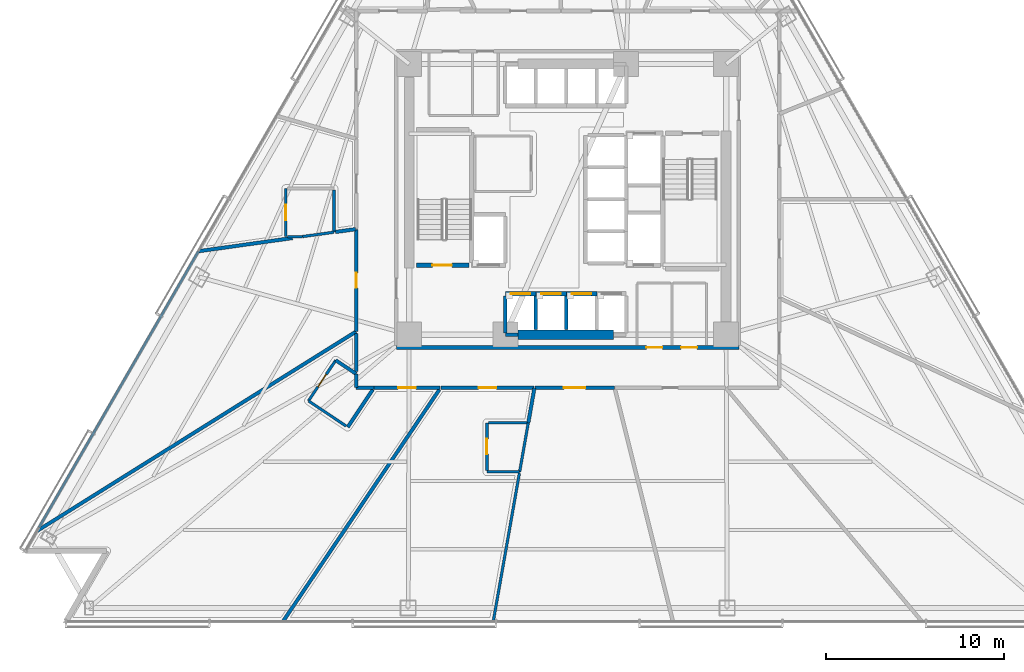
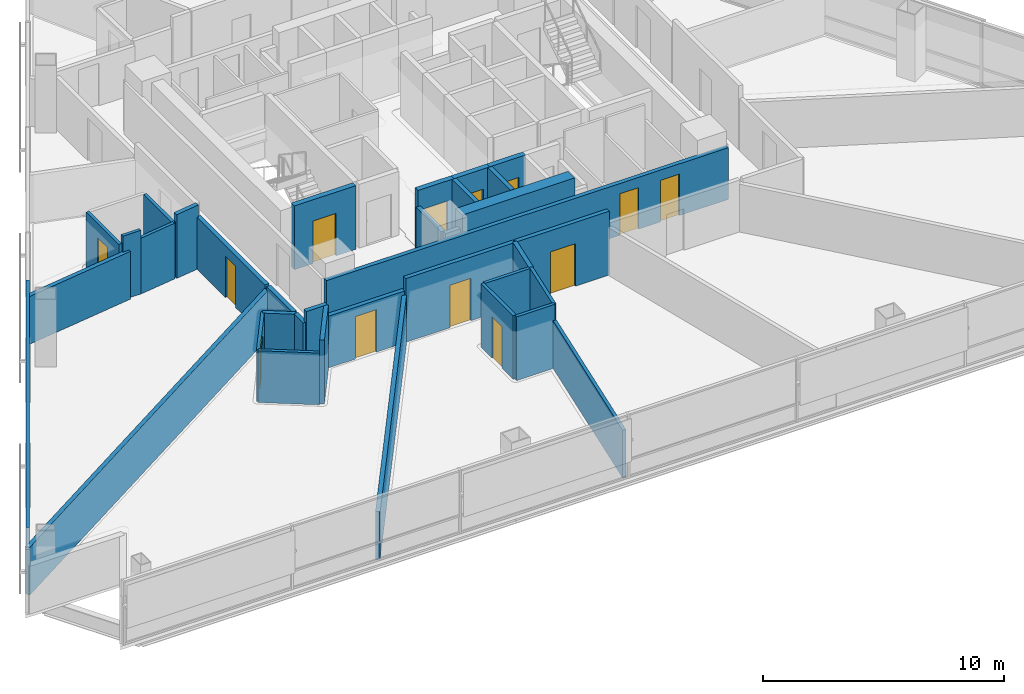
# One storey, part 7 of 16: 36 walls, 13 doors, 13 openings.
"""IFC4 building model written with IfcOpenShell, lengths in metres."""

from ifc_helpers import new_model, si_unit, direction, frame, frame_2d, origin, place, context, subcontext, project, spatial, rectangle, extrude, material, layer, layer_set, type_object, element, fill, save


model = new_model("IFC4")

# Units and contexts
model_context = context("Model", 3, precision=1e-05, world=origin(), true_north=direction((0.0, 1.0)))
body_context = subcontext(model_context, "Body", "Model", "MODEL_VIEW")
ifc_project = project(units=[si_unit("LENGTHUNIT", "METRE"), si_unit("AREAUNIT", "SQUARE_METRE"), si_unit("VOLUMEUNIT", "CUBIC_METRE"), si_unit("PLANEANGLEUNIT", "RADIAN"), si_unit("MASSUNIT", "GRAM", prefix="KILO")], contexts=[model_context])

# Site, building, storey
site_placement = place(None, origin())
site = spatial("IfcSite", under=ifc_project, at=site_placement, CompositionType="ELEMENT")
building_placement = place(site_placement, origin())
building = spatial("IfcBuilding", under=site, at=building_placement, Name="Tharavind Bronze Gate", CompositionType="ELEMENT")
storey_placement = place(building_placement, frame((0.0, 0.0, 42.050048828125)))
storey = spatial("IfcBuildingStorey", under=building, at=storey_placement, Name="L09", CompositionType="ELEMENT", Elevation=42.050048828125)

# Wall, openings, doors
ifc_material_1 = material(Name="Aerated Concrete Block", Category="concrete")
ifc_layer_1 = layer(ifc_material_1, 0.199951171875)
ifc_layer_set_1 = layer_set([ifc_layer_1], Name="Aerated Concrete Block")
wall_type_1 = type_object("IfcWallType", Name="FIRE RATED PARTITION 200", PredefinedType="PARTITIONING", material=ifc_layer_set_1)
wall_1_placement = place(storey_placement, frame((-9.6201171875, -8.320068359375, 0.0), z_axis=(0.0, 0.0, 1.0), x_axis=(1.0, 0.0, 0.0)))
wall_1 = element("IfcWall", 1, at=wall_1_placement, inside=storey, type_object=wall_type_1, Name="L09 south core corridor wall", PredefinedType="PARTITIONING", context=body_context, shape_type="SweptSolid", body=[
    extrude(rectangle(XDim=19.240234375, YDim=0.199951171875, at=frame_2d((9.6201171875, 0.0))), origin(), (0.0, 0.0, 1.0), 2.619873046875),
])
opening_1_placement = place(wall_1_placement, frame((14.044921875, 0.0, 0.0)))
opening_1 = element("IfcOpeningElement", 2, at=opening_1_placement, cuts=wall_1, Name="Opening ID07", PredefinedType="OPENING", context=body_context, shape_type="SweptSolid", body=[
    extrude(rectangle(XDim=0.89990234375, YDim=2.10009765625, at=frame_2d((0.449951171875, 1.050048828125))), frame((0.0, 0.11009765625, 0.0), z_axis=(0.0, -1.0, 0.0), x_axis=(1.0, 0.0, 0.0)), (0.0, 0.0, 1.0), 0.219951171875),
])
opening_2_placement = place(wall_1_placement, frame((15.9951171875, 0.0, 0.0)))
opening_2 = element("IfcOpeningElement", 3, at=opening_2_placement, cuts=wall_1, Name="Opening ID07", PredefinedType="OPENING", context=body_context, shape_type="SweptSolid", body=[
    extrude(rectangle(XDim=0.89990234375, YDim=2.10009765625, at=frame_2d((0.449951171875, 1.050048828125))), frame((0.0, 0.11009765625, 0.0), z_axis=(0.0, -1.0, 0.0), x_axis=(1.0, 0.0, 0.0)), (0.0, 0.0, 1.0), 0.219951171875),
])
ifc_material_2 = material(Name="Galvanised Fire Steel", Category="steel")
door_type_1 = type_object("IfcDoorType", Name="PLANT AND RISER FIRE DOOR 900X2100", OperationType="SINGLE_SWING_LEFT", PredefinedType="DOOR", material=ifc_material_2)
door_1_placement = place(opening_1_placement, origin())
door_1 = element("IfcDoor", 4, at=door_1_placement, inside=storey, type_object=door_type_1, Name="L09 Comms Patch Room fire door", OperationType="SINGLE_SWING_LEFT", OverallHeight=2.10009765625, OverallWidth=0.89990234375, PredefinedType="DOOR", context=body_context, shape_type="SweptSolid", body=[
    extrude(rectangle(XDim=0.89990234375, YDim=2.10009765625, at=frame_2d((0.449951171875, 1.050048828125))), frame((0.0, 0.02490234375, 0.0), z_axis=(0.0, -1.0, 0.0), x_axis=(1.0, 0.0, 0.0)), (0.0, 0.0, 1.0), 0.050048828125),
])
fill(opening_1, door_1)
door_2_placement = place(opening_2_placement, origin())
door_2 = element("IfcDoor", 5, at=door_2_placement, inside=storey, type_object=door_type_1, Name="L09 Housekeeping Store fire door", OperationType="SINGLE_SWING_LEFT", OverallHeight=2.10009765625, OverallWidth=0.89990234375, PredefinedType="DOOR", context=body_context, shape_type="SweptSolid", body=[
    extrude(rectangle(XDim=0.89990234375, YDim=2.10009765625, at=frame_2d((0.449951171875, 1.050048828125))), frame((0.0, 0.02490234375, 0.0), z_axis=(0.0, -1.0, 0.0), x_axis=(1.0, 0.0, 0.0)), (0.0, 0.0, 1.0), 0.050048828125),
])
fill(opening_2, door_2)

# Walls
wall_2_placement = place(storey_placement, frame((-11.8798828125, -9.804931640625, 0.0), z_axis=(0.0, 0.0, 1.0), x_axis=(0.0, -1.0, 0.0)))
element("IfcWall", 6, at=wall_2_placement, inside=storey, type_object=wall_type_1, Name="L09 En-Suite Bathroom partition", PredefinedType="PARTITIONING", context=body_context, shape_type="SweptSolid", body=[
    extrude(rectangle(XDim=0.7744140625, YDim=0.199951171875, at=frame_2d((0.38720703125, 0.0))), origin(), (0.0, 0.0, 1.0), 2.619873046875),
])
wall_3_placement = place(storey_placement, frame((-11.87939453125, -10.580078125, 0.0), z_axis=(0.0, 0.0, 1.0), x_axis=(1.0, 0.0, 0.0)))
element("IfcWall", 7, at=wall_3_placement, inside=storey, type_object=wall_type_1, Name="L09 En-Suite Bathroom partition", PredefinedType="PARTITIONING", context=body_context, shape_type="SweptSolid", body=[
    extrude(rectangle(XDim=1.005615234375, YDim=0.199951171875, at=frame_2d((0.5029296875, 0.0))), origin(), (0.0, 0.0, 1.0), 3.224853515625),
])
wall_4_placement = place(storey_placement, frame((-10.944091796875, -10.68505859375, 0.0), z_axis=(0.0, 0.0, 1.0), x_axis=(-0.55629666488, -0.830983766775, 0.0)))
element("IfcWall", 8, at=wall_4_placement, inside=storey, type_object=wall_type_1, Name="L09 En-Suite Bathroom partition", PredefinedType="PARTITIONING", context=body_context, shape_type="SweptSolid", body=[
    extrude(rectangle(XDim=2.539306640625, YDim=0.199951171875, at=frame_2d((1.26953125, 0.0))), origin(), (0.0, 0.0, 1.0), 3.224853515625),
])
wall_5_placement = place(storey_placement, frame((-13.029052734375, -9.035888671875, 0.0), z_axis=(0.0, 0.0, 1.0), x_axis=(0.831071126881, -0.556166146097, 0.0)))
element("IfcWall", 9, at=wall_5_placement, inside=storey, type_object=wall_type_1, Name="L09 En-Suite Bathroom partition", PredefinedType="PARTITIONING", context=body_context, shape_type="SweptSolid", body=[
    extrude(rectangle(XDim=1.3828125, YDim=0.199951171875, at=frame_2d((0.69140625, 0.0))), origin(), (0.0, 0.0, 1.0), 2.619873046875),
])
wall_6_placement = place(storey_placement, frame((-20.722900390625, -2.912353515625, 0.0), z_axis=(0.0, 0.0, 1.0), x_axis=(0.990270808831, 0.139153602816, 0.0)))
element("IfcWall", 10, at=wall_6_placement, inside=storey, type_object=wall_type_1, Name="L09 Public Restrooms Block partition", PredefinedType="PARTITIONING", context=body_context, shape_type="SweptSolid", body=[
    extrude(rectangle(XDim=5.3212890625, YDim=0.199951171875, at=frame_2d((2.66064453125, 0.0))), origin(), (0.0, 0.0, 1.0), 2.419921875),
])
wall_7_placement = place(storey_placement, frame((-13.049560546875, -1.833984375, 0.0), z_axis=(0.0, 0.0, 1.0), x_axis=(0.990264794112, 0.139196399172, 0.0)))
element("IfcWall", 11, at=wall_7_placement, inside=storey, type_object=wall_type_1, Name="L09 Public Restrooms Block partition", PredefinedType="PARTITIONING", context=body_context, shape_type="SweptSolid", body=[
    extrude(rectangle(XDim=1.15234375, YDim=0.199951171875, at=frame_2d((0.576171875, 0.0))), origin(), (0.0, 0.0, 1.0), 3.224853515625),
])

# Wall, opening, door
wall_8_placement = place(storey_placement, frame((-11.8798828125, -1.698486328125, 0.0), z_axis=(0.0, 0.0, 1.0), x_axis=(0.0, -1.0, 0.0)))
wall_8 = element("IfcWall", 12, at=wall_8_placement, inside=storey, type_object=wall_type_1, Name="L09 Public Restrooms Block partition", PredefinedType="PARTITIONING", context=body_context, shape_type="SweptSolid", body=[
    extrude(rectangle(XDim=5.711181640625, YDim=0.199951171875, at=frame_2d((2.85546875, 0.0))), origin(), (0.0, 0.0, 1.0), 2.619873046875),
])
opening_3_placement = place(wall_8_placement, frame((2.430908203125, 0.0, 0.0)))
opening_3 = element("IfcOpeningElement", 13, at=opening_3_placement, cuts=wall_8, Name="Opening ID06", PredefinedType="OPENING", context=body_context, shape_type="SweptSolid", body=[
    extrude(rectangle(XDim=0.85009765625, YDim=2.10009765625, at=frame_2d((0.425048828125, 1.050048828125))), frame((0.0, 0.11009765625, 0.0), z_axis=(0.0, -1.0, 0.0), x_axis=(1.0, 0.0, 0.0)), (0.0, 0.0, 1.0), 0.219951171875),
])
ifc_material_3 = material(Name="Moisture-Resistant Timber", Category="wood")
door_type_2 = type_object("IfcDoorType", Name="BATHROOM PRIVACY DOOR 850X2100", OperationType="SINGLE_SWING_RIGHT", PredefinedType="DOOR", material=ifc_material_3)
door_3_placement = place(opening_3_placement, origin())
door_3 = element("IfcDoor", 14, at=door_3_placement, inside=storey, type_object=door_type_2, Name="L09 Public Restrooms Block door", OperationType="SINGLE_SWING_RIGHT", OverallHeight=2.10009765625, OverallWidth=0.85009765625, PredefinedType="DOOR", context=body_context, shape_type="SweptSolid", body=[
    extrude(rectangle(XDim=0.85009765625, YDim=2.10009765625, at=frame_2d((0.425048828125, 1.050048828125))), frame((0.0, 0.02490234375, 0.0), z_axis=(0.0, -1.0, 0.0), x_axis=(1.0, 0.0, 0.0)), (0.0, 0.0, 1.0), 0.050048828125),
])
fill(opening_3, door_3)

# Walls
wall_9_placement = place(storey_placement, frame((-11.891845703125, -7.430908203125, 0.0), z_axis=(0.0, 0.0, 1.0), x_axis=(-0.848048947086, -0.529917902458, 0.0)))
element("IfcWall", 15, at=wall_9_placement, inside=storey, type_object=wall_type_1, Name="L09 Public Restrooms Block partition", PredefinedType="PARTITIONING", context=body_context, shape_type="SweptSolid", body=[
    extrude(rectangle(XDim=21.123291015625, YDim=0.199951171875, at=frame_2d((10.5615234375, 0.0))), origin(), (0.0, 0.0, 1.0), 2.419921875),
])
wall_10_placement = place(storey_placement, frame((-11.8798828125, -7.547119140625, 0.0), z_axis=(0.0, 0.0, 1.0), x_axis=(0.0, -1.0, 0.0)))
element("IfcWall", 16, at=wall_10_placement, inside=storey, type_object=wall_type_1, Name="L09 Deluxe Hotel Suite partition", PredefinedType="PARTITIONING", context=body_context, shape_type="SweptSolid", body=[
    extrude(rectangle(XDim=2.131591796875, YDim=0.199951171875, at=frame_2d((1.06591796875, 0.0))), origin(), (0.0, 0.0, 1.0), 2.619873046875),
])

# Wall, opening, door
wall_11_placement = place(storey_placement, frame((-10.873779296875, -10.580078125, 0.0), z_axis=(0.0, 0.0, 1.0), x_axis=(1.0, 0.0, 0.0)))
wall_11 = element("IfcWall", 17, at=wall_11_placement, inside=storey, type_object=wall_type_1, Name="L09 Deluxe Hotel Suite partition", PredefinedType="PARTITIONING", context=body_context, shape_type="SweptSolid", body=[
    extrude(rectangle(XDim=3.6904296875, YDim=0.199951171875, at=frame_2d((1.84521484375, 0.0))), origin(), (0.0, 0.0, 1.0), 2.619873046875),
])
opening_4_placement = place(wall_11_placement, frame((1.344970703125, 0.0, 0.0)))
opening_4 = element("IfcOpeningElement", 18, at=opening_4_placement, cuts=wall_11, Name="Opening ID03", PredefinedType="OPENING", context=body_context, shape_type="SweptSolid", body=[
    extrude(rectangle(XDim=1.0, YDim=2.14990234375, at=frame_2d((0.5, 1.074951171875))), frame((0.0, 0.11009765625, 0.0), z_axis=(0.0, -1.0, 0.0), x_axis=(1.0, 0.0, 0.0)), (0.0, 0.0, 1.0), 0.219951171875),
])
ifc_material_4 = material(Name="Solid Timber Veneer", Category="wood")
door_type_3 = type_object("IfcDoorType", Name="HOTEL SUITE ENTRANCE DOOR 1000X2150", OperationType="SINGLE_SWING_LEFT", PredefinedType="DOOR", material=ifc_material_4)
door_4_placement = place(opening_4_placement, origin())
door_4 = element("IfcDoor", 19, at=door_4_placement, inside=storey, type_object=door_type_3, Name="L09 Deluxe Hotel Suite door", OperationType="SINGLE_SWING_LEFT", OverallHeight=2.14990234375, OverallWidth=1.0, PredefinedType="DOOR", context=body_context, shape_type="SweptSolid", body=[
    extrude(rectangle(XDim=1.0, YDim=2.14990234375, at=frame_2d((0.5, 1.074951171875))), frame((0.0, 0.02490234375, 0.0), z_axis=(0.0, -1.0, 0.0), x_axis=(1.0, 0.0, 0.0)), (0.0, 0.0, 1.0), 0.050048828125),
])
fill(opening_4, door_4)

# Wall
wall_12_placement = place(storey_placement, frame((-7.20703125, -10.68505859375, 0.0), z_axis=(0.0, 0.0, 1.0), x_axis=(-0.55920336949, -0.82903051304, 0.0)))
element("IfcWall", 20, at=wall_12_placement, inside=storey, type_object=wall_type_1, Name="L09 Deluxe Hotel Suite partition", PredefinedType="PARTITIONING", context=body_context, shape_type="SweptSolid", body=[
    extrude(rectangle(XDim=15.685791015625, YDim=0.199951171875, at=frame_2d((7.8427734375, 0.0))), origin(), (0.0, 0.0, 1.0), 2.419921875),
])

# Wall, opening, door
wall_13_placement = place(storey_placement, frame((-7.123046875, -10.580078125, 0.0), z_axis=(0.0, 0.0, 1.0), x_axis=(1.0, 0.0, 0.0)))
wall_13 = element("IfcWall", 21, at=wall_13_placement, inside=storey, type_object=wall_type_1, Name="L09 Deluxe Hotel Suite partition", PredefinedType="PARTITIONING", context=body_context, shape_type="SweptSolid", body=[
    extrude(rectangle(XDim=5.227783203125, YDim=0.199951171875, at=frame_2d((2.61376953125, 0.0))), origin(), (0.0, 0.0, 1.0), 3.224853515625),
])
opening_5_placement = place(wall_13_placement, frame((2.114013671875, 0.0, 0.0)))
opening_5 = element("IfcOpeningElement", 22, at=opening_5_placement, cuts=wall_13, Name="Opening ID03", PredefinedType="OPENING", context=body_context, shape_type="SweptSolid", body=[
    extrude(rectangle(XDim=1.0, YDim=2.14990234375, at=frame_2d((0.5, 1.074951171875))), frame((0.0, 0.11009765625, 0.0), z_axis=(0.0, -1.0, 0.0), x_axis=(1.0, 0.0, 0.0)), (0.0, 0.0, 1.0), 0.219951171875),
])
door_5_placement = place(opening_5_placement, origin())
door_5 = element("IfcDoor", 23, at=door_5_placement, inside=storey, type_object=door_type_3, Name="L09 Deluxe Hotel Suite door", OperationType="SINGLE_SWING_LEFT", OverallHeight=2.14990234375, OverallWidth=1.0, PredefinedType="DOOR", context=body_context, shape_type="SweptSolid", body=[
    extrude(rectangle(XDim=1.0, YDim=2.14990234375, at=frame_2d((0.5, 1.074951171875))), frame((0.0, 0.02490234375, 0.0), z_axis=(0.0, -1.0, 0.0), x_axis=(1.0, 0.0, 0.0)), (0.0, 0.0, 1.0), 0.050048828125),
])
fill(opening_5, door_5)

# Wall
wall_14_placement = place(storey_placement, frame((-1.87060546875, -10.609375, 0.0), z_axis=(0.0, 0.0, 1.0), x_axis=(-0.17369345517, -0.984799768294, 0.0)))
element("IfcWall", 24, at=wall_14_placement, inside=storey, type_object=wall_type_1, Name="L09 Deluxe Hotel Suite partition", PredefinedType="PARTITIONING", context=body_context, shape_type="SweptSolid", body=[
    extrude(rectangle(XDim=1.970703125, YDim=0.199951171875, at=frame_2d((0.9853515625, 0.0))), origin(), (0.0, 0.0, 1.0), 3.224853515625),
])

# Wall, opening, door
wall_15_placement = place(storey_placement, frame((-1.844482421875, -10.580078125, 0.0), z_axis=(0.0, 0.0, 1.0), x_axis=(1.0, 0.0, 0.0)))
wall_15 = element("IfcWall", 25, at=wall_15_placement, inside=storey, type_object=wall_type_1, Name="L09 Hotel Guest Lounge partition", PredefinedType="PARTITIONING", context=body_context, shape_type="SweptSolid", body=[
    extrude(rectangle(XDim=4.462890625, YDim=0.199951171875, at=frame_2d((2.2314453125, 0.0))), origin(), (0.0, 0.0, 1.0), 3.224853515625),
])
opening_6_placement = place(wall_15_placement, frame((1.631103515625, 0.0, 0.0)))
opening_6 = element("IfcOpeningElement", 26, at=opening_6_placement, cuts=wall_15, Name="Opening ID05", PredefinedType="OPENING", context=body_context, shape_type="SweptSolid", body=[
    extrude(rectangle(XDim=1.199951171875, YDim=2.14990234375, at=frame_2d((0.60009765625, 1.074951171875))), frame((0.0, 0.11009765625, 0.0), z_axis=(0.0, -1.0, 0.0), x_axis=(1.0, 0.0, 0.0)), (0.0, 0.0, 1.0), 0.219951171875),
])
ifc_material_5 = material(Name="Acoustic Laminated Glass", Category="glass")
door_type_4 = type_object("IfcDoorType", Name="MEETING ROOM GLAZED DOOR 1200X2150", OperationType="SINGLE_SWING_LEFT", PredefinedType="DOOR", material=ifc_material_5)
door_6_placement = place(opening_6_placement, origin())
door_6 = element("IfcDoor", 27, at=door_6_placement, inside=storey, type_object=door_type_4, Name="L09 Hotel Guest Lounge door", OperationType="SINGLE_SWING_LEFT", OverallHeight=2.14990234375, OverallWidth=1.199951171875, PredefinedType="DOOR", context=body_context, shape_type="SweptSolid", body=[
    extrude(rectangle(XDim=1.199951171875, YDim=2.14990234375, at=frame_2d((0.60009765625, 1.074951171875))), frame((0.0, 0.02490234375, 0.0), z_axis=(0.0, -1.0, 0.0), x_axis=(1.0, 0.0, 0.0)), (0.0, 0.0, 1.0), 0.050048828125),
])
fill(opening_6, door_6)

ifc_material_6 = material(Name="Twin Stud Acoustic Gypsum", Category="gypsum")
ifc_layer_2 = layer(ifc_material_6, 0.14990234375)
ifc_layer_set_2 = layer_set([ifc_layer_2], Name="Twin Stud Acoustic Gypsum")
wall_type_2 = type_object("IfcWallType", Name="INTERIOR PARTITION WALL 150", PredefinedType="PARTITIONING", material=ifc_layer_set_2)
wall_16_placement = place(storey_placement, frame((-15.82958984375, -2.091796875, 0.0), z_axis=(0.0, 0.0, 1.0), x_axis=(0.0, 1.0, 0.0)))
wall_16 = element("IfcWall", 28, at=wall_16_placement, inside=storey, type_object=wall_type_2, Name="L09 En-Suite Bathroom partition", PredefinedType="PARTITIONING", context=body_context, shape_type="SweptSolid", body=[
    extrude(rectangle(XDim=2.699951171875, YDim=0.14990234375, at=frame_2d((1.35009765625, 0.0))), origin(), (0.0, 0.0, 1.0), 2.820068359375),
])
opening_7_placement = place(wall_16_placement, frame((0.925048828125, 0.0, 0.0)))
opening_7 = element("IfcOpeningElement", 29, at=opening_7_placement, cuts=wall_16, Name="Opening ID06", PredefinedType="OPENING", context=body_context, shape_type="SweptSolid", body=[
    extrude(rectangle(XDim=0.85009765625, YDim=2.10009765625, at=frame_2d((0.425048828125, 1.050048828125))), frame((0.0, 0.084951171875, 0.0), z_axis=(0.0, -1.0, 0.0), x_axis=(1.0, 0.0, 0.0)), (0.0, 0.0, 1.0), 0.16990234375),
])
door_7_placement = place(opening_7_placement, origin())
door_7 = element("IfcDoor", 30, at=door_7_placement, inside=storey, type_object=door_type_2, Name="L09 En-Suite Bathroom door", OperationType="SINGLE_SWING_RIGHT", OverallHeight=2.10009765625, OverallWidth=0.85009765625, PredefinedType="DOOR", context=body_context, shape_type="SweptSolid", body=[
    extrude(rectangle(XDim=0.85009765625, YDim=2.10009765625, at=frame_2d((0.425048828125, 1.050048828125))), frame((0.0, 0.02490234375, 0.0), z_axis=(0.0, -1.0, 0.0), x_axis=(1.0, 0.0, 0.0)), (0.0, 0.0, 1.0), 0.050048828125),
])
fill(opening_7, door_7)

# Walls
wall_17_placement = place(storey_placement, frame((-13.129638671875, 0.5283203125, 0.0), z_axis=(0.0, 0.0, 1.0), x_axis=(0.0, -1.0, 0.0)))
element("IfcWall", 31, at=wall_17_placement, inside=storey, type_object=wall_type_2, Name="L09 En-Suite Bathroom partition", PredefinedType="PARTITIONING", context=body_context, shape_type="SweptSolid", body=[
    extrude(rectangle(XDim=2.37353515625, YDim=0.14990234375, at=frame_2d((1.186767578125, 0.0))), origin(), (0.0, 0.0, 1.0), 2.820068359375),
])
wall_18_placement = place(storey_placement, frame((-13.129638671875, -1.84521484375, 0.0), z_axis=(0.0, 0.0, 1.0), x_axis=(-0.990264001504, -0.13920203779, 0.0)))
element("IfcWall", 32, at=wall_18_placement, inside=storey, type_object=wall_type_2, Name="L09 En-Suite Bathroom partition", PredefinedType="PARTITIONING", context=body_context, shape_type="SweptSolid", body=[
    extrude(rectangle(XDim=1.771484375, YDim=0.14990234375, at=frame_2d((0.8857421875, 0.0))), origin(), (0.0, 0.0, 1.0), 2.820068359375),
])
wall_19_placement = place(storey_placement, frame((-14.8837890625, -2.091796875, 0.0), z_axis=(0.0, 0.0, 1.0), x_axis=(-1.0, 0.0, 0.0)))
element("IfcWall", 33, at=wall_19_placement, inside=storey, type_object=wall_type_2, Name="L09 En-Suite Bathroom partition", PredefinedType="PARTITIONING", context=body_context, shape_type="SweptSolid", body=[
    extrude(rectangle(XDim=0.86572265625, YDim=0.14990234375, at=frame_2d((0.432861328125, 0.0))), origin(), (0.0, 0.0, 1.0), 3.224853515625),
])
wall_20_placement = place(storey_placement, frame((-12.444091796875, -12.73681640625, 0.0), z_axis=(0.0, 0.0, 1.0), x_axis=(-0.830971323883, 0.55631525135, 0.0)))
element("IfcWall", 34, at=wall_20_placement, inside=storey, type_object=wall_type_2, Name="L09 En-Suite Bathroom partition", PredefinedType="PARTITIONING", context=body_context, shape_type="SweptSolid", body=[
    extrude(rectangle(XDim=2.544921875, YDim=0.14990234375, at=frame_2d((1.2724609375, 0.0))), origin(), (0.0, 0.0, 1.0), 2.619873046875),
])

# Wall, opening, door
wall_21_placement = place(storey_placement, frame((-14.558837890625, -11.321044921875, 0.0), z_axis=(0.0, 0.0, 1.0), x_axis=(0.556297218143, 0.830983396396, 0.0)))
wall_21 = element("IfcWall", 35, at=wall_21_placement, inside=storey, type_object=wall_type_2, Name="L09 En-Suite Bathroom partition", PredefinedType="PARTITIONING", context=body_context, shape_type="SweptSolid", body=[
    extrude(rectangle(XDim=2.75, YDim=0.14990234375, at=frame_2d((1.375, 0.0))), origin(), (0.0, 0.0, 1.0), 2.619873046875),
])
opening_8_placement = place(wall_21_placement, frame((0.949951171875, 0.0, 0.0)))
opening_8 = element("IfcOpeningElement", 36, at=opening_8_placement, cuts=wall_21, Name="Opening ID06", PredefinedType="OPENING", context=body_context, shape_type="SweptSolid", body=[
    extrude(rectangle(XDim=0.85009765625, YDim=2.10009765625, at=frame_2d((0.425048828125, 1.050048828125))), frame((0.0, 0.084951171875, 0.0), z_axis=(0.0, -1.0, 0.0), x_axis=(1.0, 0.0, 0.0)), (0.0, 0.0, 1.0), 0.16990234375),
])
door_8_placement = place(opening_8_placement, origin())
door_8 = element("IfcDoor", 37, at=door_8_placement, inside=storey, type_object=door_type_2, Name="L09 En-Suite Bathroom door", OperationType="SINGLE_SWING_RIGHT", OverallHeight=2.10009765625, OverallWidth=0.85009765625, PredefinedType="DOOR", context=body_context, shape_type="SweptSolid", body=[
    extrude(rectangle(XDim=0.85009765625, YDim=2.10009765625, at=frame_2d((0.425048828125, 1.050048828125))), frame((0.0, 0.02490234375, 0.0), z_axis=(0.0, -1.0, 0.0), x_axis=(1.0, 0.0, 0.0)), (0.0, 0.0, 1.0), 0.050048828125),
])
fill(opening_8, door_8)

# Walls
wall_22_placement = place(storey_placement, frame((-2.212890625, -12.550048828125, 0.0), z_axis=(0.0, 0.0, 1.0), x_axis=(-0.173635703618, -0.984809952442, 0.0)))
element("IfcWall", 38, at=wall_22_placement, inside=storey, type_object=wall_type_2, Name="L09 En-Suite Bathroom partition", PredefinedType="PARTITIONING", context=body_context, shape_type="SweptSolid", body=[
    extrude(rectangle(XDim=2.79248046875, YDim=0.14990234375, at=frame_2d((1.396240234375, 0.0))), origin(), (0.0, 0.0, 1.0), 3.224853515625),
])
wall_23_placement = place(storey_placement, frame((-2.69775390625, -15.300048828125, 0.0), z_axis=(0.0, 0.0, 1.0), x_axis=(-1.0, 0.0, 0.0)))
element("IfcWall", 39, at=wall_23_placement, inside=storey, type_object=wall_type_2, Name="L09 En-Suite Bathroom partition", PredefinedType="PARTITIONING", context=body_context, shape_type="SweptSolid", body=[
    extrude(rectangle(XDim=1.8388671875, YDim=0.14990234375, at=frame_2d((0.91943359375, 0.0))), origin(), (0.0, 0.0, 1.0), 3.224853515625),
])

# Wall, opening, door
wall_24_placement = place(storey_placement, frame((-4.53662109375, -15.219970703125, 0.0), z_axis=(0.0, 0.0, 1.0), x_axis=(0.0, 1.0, 0.0)))
wall_24 = element("IfcWall", 40, at=wall_24_placement, inside=storey, type_object=wall_type_2, Name="L09 En-Suite Bathroom partition", PredefinedType="PARTITIONING", context=body_context, shape_type="SweptSolid", body=[
    extrude(rectangle(XDim=2.669921875, YDim=0.14990234375, at=frame_2d((1.3349609375, 0.0))), origin(), (0.0, 0.0, 1.0), 3.224853515625),
])
opening_9_placement = place(wall_24_placement, frame((0.909912109375, 0.0, 0.0)))
opening_9 = element("IfcOpeningElement", 41, at=opening_9_placement, cuts=wall_24, Name="Opening ID06", PredefinedType="OPENING", context=body_context, shape_type="SweptSolid", body=[
    extrude(rectangle(XDim=0.85009765625, YDim=2.10009765625, at=frame_2d((0.425048828125, 1.050048828125))), frame((0.0, 0.084951171875, 0.0), z_axis=(0.0, -1.0, 0.0), x_axis=(1.0, 0.0, 0.0)), (0.0, 0.0, 1.0), 0.16990234375),
])
door_9_placement = place(opening_9_placement, origin())
door_9 = element("IfcDoor", 42, at=door_9_placement, inside=storey, type_object=door_type_2, Name="L09 En-Suite Bathroom door", OperationType="SINGLE_SWING_RIGHT", OverallHeight=2.10009765625, OverallWidth=0.85009765625, PredefinedType="DOOR", context=body_context, shape_type="SweptSolid", body=[
    extrude(rectangle(XDim=0.85009765625, YDim=2.10009765625, at=frame_2d((0.425048828125, 1.050048828125))), frame((0.0, 0.02490234375, 0.0), z_axis=(0.0, -1.0, 0.0), x_axis=(1.0, 0.0, 0.0)), (0.0, 0.0, 1.0), 0.050048828125),
])
fill(opening_9, door_9)

# Walls
wall_25_placement = place(storey_placement, frame((-4.456787109375, -12.550048828125, 0.0), z_axis=(0.0, 0.0, 1.0), x_axis=(1.0, 0.0, 0.0)))
element("IfcWall", 43, at=wall_25_placement, inside=storey, type_object=wall_type_2, Name="L09 En-Suite Bathroom partition", PredefinedType="PARTITIONING", context=body_context, shape_type="SweptSolid", body=[
    extrude(rectangle(XDim=2.16259765625, YDim=0.14990234375, at=frame_2d((1.081298828125, 0.0))), origin(), (0.0, 0.0, 1.0), 3.224853515625),
])
wall_26_placement = place(storey_placement, frame((-29.693603515625, -18.430908203125, 0.0), z_axis=(0.0, 0.0, 1.0), x_axis=(0.499997467418, 0.866026865966, 0.0)))
element("IfcWall", 44, at=wall_26_placement, inside=storey, type_object=wall_type_2, Name="L09 Public Restrooms Block partition", PredefinedType="PARTITIONING", context=body_context, shape_type="SweptSolid", body=[
    extrude(rectangle(XDim=17.90478515625, YDim=0.14990234375, at=frame_2d((8.952392578125, 0.0))), origin(), (0.0, 0.0, 1.0), 3.224853515625),
])
wall_27_placement = place(storey_placement, frame((-2.7119140625, -15.3798828125, 0.0), z_axis=(0.0, 0.0, 1.0), x_axis=(-0.173646509235, -0.9848080472, 0.0)))
element("IfcWall", 45, at=wall_27_placement, inside=storey, type_object=wall_type_2, Name="L09 Deluxe Hotel Suite partition", PredefinedType="PARTITIONING", context=body_context, shape_type="SweptSolid", body=[
    extrude(rectangle(XDim=8.42724609375, YDim=0.14990234375, at=frame_2d((4.213623046875, 0.0))), origin(), (0.0, 0.0, 1.0), 2.419921875),
])

# Wall, opening, door
ifc_material_7 = material(Name="Concrete C50/60", Category="concrete")
ifc_layer_3 = layer(ifc_material_7, 0.25)
ifc_layer_set_3 = layer_set([ifc_layer_3], Name="Concrete C50/60")
wall_type_3 = type_object("IfcWallType", Name="RC CORE SHEAR WALL 250", PredefinedType="SHEAR", material=ifc_layer_set_3)
wall_28_placement = place(storey_placement, frame((-8.5, -3.699951171875, 0.0), z_axis=(0.0, 0.0, 1.0), x_axis=(1.0, 0.0, 0.0)))
wall_28 = element("IfcWall", 46, at=wall_28_placement, inside=storey, type_object=wall_type_3, Name="L09 ST1 shaft south wall", PredefinedType="SHEAR", context=body_context, shape_type="SweptSolid", body=[
    extrude(rectangle(XDim=2.949951171875, YDim=0.25, at=frame_2d((1.47509765625, 0.0))), origin(), (0.0, 0.0, 1.0), 3.224853515625),
])
opening_10_placement = place(wall_28_placement, frame((0.89990234375, 0.0, 0.0)))
opening_10 = element("IfcOpeningElement", 47, at=opening_10_placement, cuts=wall_28, Name="Opening ID01", PredefinedType="OPENING", context=body_context, shape_type="SweptSolid", body=[
    extrude(rectangle(XDim=1.10009765625, YDim=2.14990234375, at=frame_2d((0.550048828125, 1.074951171875))), frame((0.0, 0.135, 0.0), z_axis=(0.0, -1.0, 0.0), x_axis=(1.0, 0.0, 0.0)), (0.0, 0.0, 1.0), 0.27),
])
ifc_material_8 = material(Name="Fire-Rated Steel", Category="steel")
door_type_5 = type_object("IfcDoorType", Name="STAIR CORE FIRE DOOR 1100X2150", OperationType="SINGLE_SWING_LEFT", PredefinedType="DOOR", material=ifc_material_8)
door_10_placement = place(opening_10_placement, origin())
door_10 = element("IfcDoor", 48, at=door_10_placement, inside=storey, type_object=door_type_5, Name="L09 exit stair ST1 fire door", OperationType="SINGLE_SWING_LEFT", OverallHeight=2.14990234375, OverallWidth=1.10009765625, PredefinedType="DOOR", context=body_context, shape_type="SweptSolid", body=[
    extrude(rectangle(XDim=1.10009765625, YDim=2.14990234375, at=frame_2d((0.550048828125, 1.074951171875))), frame((0.0, 0.02490234375, 0.0), z_axis=(0.0, -1.0, 0.0), x_axis=(1.0, 0.0, 0.0)), (0.0, 0.0, 1.0), 0.050048828125),
])
fill(opening_10, door_10)

wall_29_placement = place(storey_placement, frame((-3.5, -5.300048828125, 0.0), z_axis=(0.0, 0.0, 1.0), x_axis=(1.0, 0.0, 0.0)))
wall_29 = element("IfcWall", 49, at=wall_29_placement, inside=storey, type_object=wall_type_3, Name="L09 lift PL1 shaft front wall", PredefinedType="SHEAR", context=body_context, shape_type="SweptSolid", body=[
    extrude(rectangle(XDim=1.71240234375, YDim=0.25, at=frame_2d((0.856201171875, 0.0))), origin(), (0.0, 0.0, 1.0), 3.224853515625),
])
opening_11_placement = place(wall_29_placement, frame((0.305908203125, 0.0, 0.0)))
opening_11 = element("IfcOpeningElement", 50, at=opening_11_placement, cuts=wall_29, Name="Opening LD01", PredefinedType="OPENING", context=body_context, shape_type="SweptSolid", body=[
    extrude(rectangle(XDim=1.10009765625, YDim=2.199951171875, at=frame_2d((0.550048828125, 1.10009765625))), frame((0.0, 0.135, 0.0), z_axis=(0.0, -1.0, 0.0), x_axis=(1.0, 0.0, 0.0)), (0.0, 0.0, 1.0), 0.27),
])
ifc_material_9 = material(Name="Brushed Bronze Stainless Steel", Category="steel")
door_type_6 = type_object("IfcDoorType", Name="LIFT LANDING SLIDING DOOR 1100X2200", OperationType="SLIDING_TO_LEFT", PredefinedType="DOOR", material=ifc_material_9)
door_11_placement = place(opening_11_placement, origin())
door_11 = element("IfcDoor", 51, at=door_11_placement, inside=storey, type_object=door_type_6, Name="L09 lift PL1 sliding landing door", OperationType="SLIDING_TO_LEFT", OverallHeight=2.199951171875, OverallWidth=1.10009765625, PredefinedType="DOOR", context=body_context, shape_type="SweptSolid", body=[
    extrude(rectangle(XDim=1.10009765625, YDim=2.199951171875, at=frame_2d((0.550048828125, 1.10009765625))), frame((0.0, 0.02490234375, 0.0), z_axis=(0.0, -1.0, 0.0), x_axis=(1.0, 0.0, 0.0)), (0.0, 0.0, 1.0), 0.050048828125),
])
fill(opening_11, door_11)

wall_30_placement = place(storey_placement, frame((-1.78759765625, -5.300048828125, 0.0), z_axis=(0.0, 0.0, 1.0), x_axis=(1.0, 0.0, 0.0)))
wall_30 = element("IfcWall", 52, at=wall_30_placement, inside=storey, type_object=wall_type_3, Name="L09 lift PL2 shaft front wall", PredefinedType="SHEAR", context=body_context, shape_type="SweptSolid", body=[
    extrude(rectangle(XDim=1.712646484375, YDim=0.25, at=frame_2d((0.8564453125, 0.0))), origin(), (0.0, 0.0, 1.0), 3.224853515625),
])
opening_12_placement = place(wall_30_placement, frame((0.305908203125, 0.0, 0.0)))
opening_12 = element("IfcOpeningElement", 53, at=opening_12_placement, cuts=wall_30, Name="Opening LD01", PredefinedType="OPENING", context=body_context, shape_type="SweptSolid", body=[
    extrude(rectangle(XDim=1.10009765625, YDim=2.199951171875, at=frame_2d((0.550048828125, 1.10009765625))), frame((0.0, 0.135, 0.0), z_axis=(0.0, -1.0, 0.0), x_axis=(1.0, 0.0, 0.0)), (0.0, 0.0, 1.0), 0.27),
])
door_12_placement = place(opening_12_placement, origin())
door_12 = element("IfcDoor", 54, at=door_12_placement, inside=storey, type_object=door_type_6, Name="L09 lift PL2 sliding landing door", OperationType="SLIDING_TO_LEFT", OverallHeight=2.199951171875, OverallWidth=1.10009765625, PredefinedType="DOOR", context=body_context, shape_type="SweptSolid", body=[
    extrude(rectangle(XDim=1.10009765625, YDim=2.199951171875, at=frame_2d((0.550048828125, 1.10009765625))), frame((0.0, 0.02490234375, 0.0), z_axis=(0.0, -1.0, 0.0), x_axis=(1.0, 0.0, 0.0)), (0.0, 0.0, 1.0), 0.050048828125),
])
fill(opening_12, door_12)

wall_31_placement = place(storey_placement, frame((-0.074951171875, -5.300048828125, 0.0), z_axis=(0.0, 0.0, 1.0), x_axis=(1.0, 0.0, 0.0)))
wall_31 = element("IfcWall", 55, at=wall_31_placement, inside=storey, type_object=wall_type_3, Name="L09 lift PL3 shaft front wall", PredefinedType="SHEAR", context=body_context, shape_type="SweptSolid", body=[
    extrude(rectangle(XDim=1.71240234375, YDim=0.25, at=frame_2d((0.856201171875, 0.0))), origin(), (0.0, 0.0, 1.0), 3.224853515625),
])
opening_13_placement = place(wall_31_placement, frame((0.305908203125, 0.0, 0.0)))
opening_13 = element("IfcOpeningElement", 56, at=opening_13_placement, cuts=wall_31, Name="Opening LD01", PredefinedType="OPENING", context=body_context, shape_type="SweptSolid", body=[
    extrude(rectangle(XDim=1.10009765625, YDim=2.199951171875, at=frame_2d((0.550048828125, 1.10009765625))), frame((0.0, 0.135, 0.0), z_axis=(0.0, -1.0, 0.0), x_axis=(1.0, 0.0, 0.0)), (0.0, 0.0, 1.0), 0.27),
])
door_13_placement = place(opening_13_placement, origin())
door_13 = element("IfcDoor", 57, at=door_13_placement, inside=storey, type_object=door_type_6, Name="L09 lift PL3 sliding landing door", OperationType="SLIDING_TO_LEFT", OverallHeight=2.199951171875, OverallWidth=1.10009765625, PredefinedType="DOOR", context=body_context, shape_type="SweptSolid", body=[
    extrude(rectangle(XDim=1.10009765625, YDim=2.199951171875, at=frame_2d((0.550048828125, 1.10009765625))), frame((0.0, 0.02490234375, 0.0), z_axis=(0.0, -1.0, 0.0), x_axis=(1.0, 0.0, 0.0)), (0.0, 0.0, 1.0), 0.050048828125),
])
fill(opening_13, door_13)

# Walls
ifc_material_10 = material(Name="Concrete C60/75", Category="concrete")
ifc_layer_4 = layer(ifc_material_10, 0.550048828125)
ifc_layer_set_4 = layer_set([ifc_layer_4], Name="Concrete C60/75")
wall_type_4 = type_object("IfcWallType", Name="RC CORE SHEAR WALL 550", PredefinedType="SHEAR", material=ifc_layer_set_4)
wall_32_placement = place(storey_placement, frame((-2.800048828125, -7.60009765625, 0.0), z_axis=(0.0, 0.0, 1.0), x_axis=(1.0, 0.0, 0.0)))
element("IfcWall", 58, at=wall_32_placement, inside=storey, type_object=wall_type_4, Name="L09 south core shear wall", PredefinedType="SHEAR", context=body_context, shape_type="SweptSolid", body=[
    extrude(rectangle(XDim=5.380126953125, YDim=0.550048828125, at=frame_2d((2.68994140625, 0.0))), origin(), (0.0, 0.0, 1.0), 3.224853515625),
])
ifc_material_11 = material(Name="Concrete C40/50", Category="concrete")
ifc_layer_5 = layer(ifc_material_11, 0.199951171875)
ifc_layer_set_5 = layer_set([ifc_layer_5], Name="Concrete C40/50")
wall_type_5 = type_object("IfcWallType", Name="SHAFT ENCLOSURE WALL 200", PredefinedType="PARTITIONING", material=ifc_layer_set_5)
wall_33_placement = place(storey_placement, frame((-3.5, -7.60009765625, 0.0), z_axis=(0.0, 0.0, 1.0), x_axis=(1.0, 0.0, 0.0)))
element("IfcWall", 59, at=wall_33_placement, inside=storey, type_object=wall_type_5, Name="L09 lift PL1 shaft S enclosure wall", PredefinedType="PARTITIONING", context=body_context, shape_type="SweptSolid", body=[
    extrude(rectangle(XDim=0.699951171875, YDim=0.199951171875, at=frame_2d((0.35009765625, 0.0))), origin(), (0.0, 0.0, 1.0), 2.419921875),
])
wall_34_placement = place(storey_placement, frame((-3.5, -7.4951171875, 0.0), z_axis=(0.0, 0.0, 1.0), x_axis=(0.0, 1.0, 0.0)))
element("IfcWall", 60, at=wall_34_placement, inside=storey, type_object=wall_type_5, Name="L09 lift PL1 shaft W enclosure wall", PredefinedType="PARTITIONING", context=body_context, shape_type="SweptSolid", body=[
    extrude(rectangle(XDim=2.065185546875, YDim=0.199951171875, at=frame_2d((1.03271484375, 0.0))), origin(), (0.0, 0.0, 1.0), 2.419921875),
])
for number, where, z_axis, x_axis, name in (
    (61, (-1.78759765625, -7.320068359375, 0.0), (0.0, 0.0, 1.0), (0.0, 1.0, 0.0), "L09 lift PL1 shaft E enclosure wall"),
    (62, (-0.074951171875, -7.320068359375, 0.0), (0.0, 0.0, 1.0), (0.0, 1.0, 0.0), "L09 lift PL2 shaft E enclosure wall"),
):
    element("IfcWall", number, at=place(storey_placement, frame(where, z_axis=z_axis, x_axis=x_axis)), inside=storey, type_object=wall_type_5, Name=name, PredefinedType="PARTITIONING", context=body_context, shape_type="SweptSolid", body=[
        extrude(rectangle(XDim=1.89013671875, YDim=0.199951171875, at=frame_2d((0.945068359375, 0.0))), origin(), (0.0, 0.0, 1.0), 3.224853515625),
    ])

save(model, "model.ifc")
